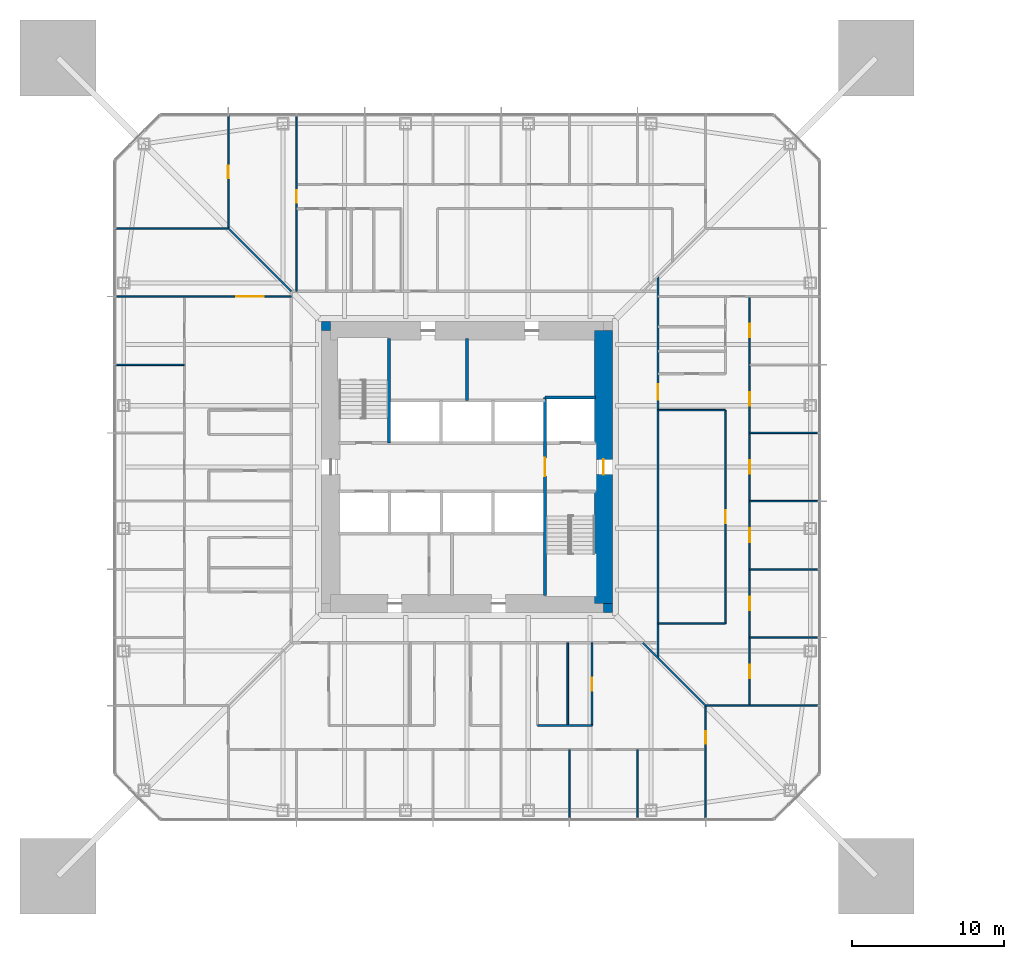
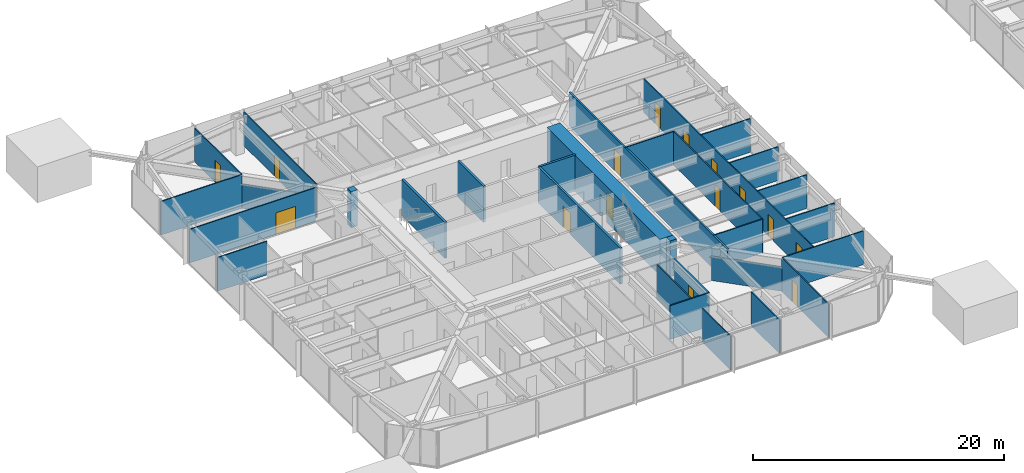
# One storey, part 16 of 26: 30 walls, 15 doors, 15 openings.
"""IFC4 building model written with IfcOpenShell, lengths in metres."""

from ifc_helpers import new_model, si_unit, direction, frame, frame_2d, origin, place, context, subcontext, project, spatial, rectangle, extrude, material, layer, layer_set, type_object, element, fill, save


model = new_model("IFC4")

# Units and contexts
model_context = context("Model", 3, precision=1e-05, world=origin(), true_north=direction((0.0, 1.0)))
body_context = subcontext(model_context, "Body", "Model", "MODEL_VIEW")
ifc_project = project(units=[si_unit("LENGTHUNIT", "METRE"), si_unit("AREAUNIT", "SQUARE_METRE"), si_unit("VOLUMEUNIT", "CUBIC_METRE"), si_unit("PLANEANGLEUNIT", "RADIAN"), si_unit("MASSUNIT", "GRAM", prefix="KILO")], contexts=[model_context])

# Site, building, storey
site_placement = place(None, origin())
site = spatial("IfcSite", under=ifc_project, at=site_placement, CompositionType="ELEMENT")
building_placement = place(site_placement, origin())
building = spatial("IfcBuilding", under=site, at=building_placement, Name="Iwan Alto Co-Living Towers", CompositionType="ELEMENT")
storey_placement = place(building_placement, frame((0.0, 0.0, 67.5)))
storey = spatial("IfcBuildingStorey", under=building, at=storey_placement, Name="L18", CompositionType="ELEMENT", Elevation=67.5)

# Wall, opening, door
ifc_material_1 = material(Name="Gypsum board")
ifc_layer_1 = layer(ifc_material_1, 0.02490234375, Name="Board", Category="Finish")
ifc_material_2 = material(Name="Steel ASTM A1003 ST33H cold-formed studs", Category="steel")
ifc_layer_2 = layer(ifc_material_2, 0.10009765625, Name="Studs", Category="Framing")
ifc_layer_3 = layer(ifc_material_1, 0.02490234375, Name="Board", Category="Finish")
ifc_layer_set_1 = layer_set([ifc_layer_1, ifc_layer_2, ifc_layer_3], Name="CORRIDOR WALL 150")
wall_type_1 = type_object("IfcWallType", Name="CORRIDOR WALL 150", PredefinedType="PARTITIONING", material=ifc_layer_set_1)
wall_1_placement = place(storey_placement, frame((12.60009765625, -12.60009765625, 0.0), z_axis=(0.0, 0.0, 1.0), x_axis=(0.0, 1.0, 0.0)))
wall_1 = element("IfcWall", 1, at=wall_1_placement, inside=storey, type_object=wall_type_1, Name="Partition L18", PredefinedType="PARTITIONING", context=body_context, shape_type="SweptSolid", body=[
    extrude(rectangle(XDim=25.2001953125, YDim=0.14990234375, at=frame_2d((12.60009765625, 0.0))), origin(), (0.0, 0.0, 1.0), 3.27001953125),
])
opening_1_placement = place(wall_1_placement, frame((17.050048828125, 0.0, 0.0)))
opening_1 = element("IfcOpeningElement", 2, at=opening_1_placement, cuts=wall_1, Name="Opening D3", PredefinedType="OPENING", context=body_context, shape_type="SweptSolid", body=[
    extrude(rectangle(XDim=1.0, YDim=2.10009765625, at=frame_2d((0.5, 1.050048828125))), frame((0.0, 0.0849609375, 0.0), z_axis=(0.0, -1.0, 0.0), x_axis=(1.0, 0.0, 0.0)), (0.0, 0.0, 1.0), 0.169921875),
])
ifc_material_3 = material(Name="Steel frame with timber leaf", Category="steel")
door_type_1 = type_object("IfcDoorType", Name="FLAT ENTRANCE DOOR FD30S 1000X2100", OperationType="SINGLE_SWING_LEFT", PredefinedType="DOOR", material=ifc_material_3)
door_1_placement = place(opening_1_placement, frame((1.0, 0.0, 0.0), z_axis=(0.0, 0.0, 1.0), x_axis=(-1.0, 0.0, 0.0)))
door_1 = element("IfcDoor", 3, at=door_1_placement, inside=storey, type_object=door_type_1, Name="Cluster lounge and shared kitchen door L18", OperationType="SINGLE_SWING_RIGHT", OverallHeight=2.10009765625, OverallWidth=1.0, PredefinedType="DOOR", context=body_context, shape_type="SweptSolid", body=[
    extrude(rectangle(XDim=1.0, YDim=2.10009765625, at=frame_2d((0.5, 1.050048828125))), frame((0.0, 0.02490234375, 0.0), z_axis=(0.0, -1.0, 0.0), x_axis=(1.0, 0.0, 0.0)), (0.0, 0.0, 1.0), 0.050048828125),
])
fill(opening_1, door_1)

# Walls
ifc_layer_4 = layer(ifc_material_1, 0.012451171875, Name="Board", Category="Finish")
ifc_layer_5 = layer(ifc_material_2, 0.074951171875, Name="Studs", Category="Framing")
ifc_layer_6 = layer(ifc_material_1, 0.012451171875, Name="Board", Category="Finish")
ifc_layer_set_2 = layer_set([ifc_layer_4, ifc_layer_5, ifc_layer_6], Name="PARTITION 100")
wall_type_2 = type_object("IfcWallType", Name="PARTITION 100", PredefinedType="PARTITIONING", material=ifc_layer_set_2)
wall_2_placement = place(storey_placement, frame((15.75, -15.75, 0.0), z_axis=(0.0, 0.0, 1.0), x_axis=(1.0, 0.0, 0.0)))
element("IfcWall", 4, at=wall_2_placement, inside=storey, type_object=wall_type_2, Name="Partition L18", PredefinedType="PARTITIONING", context=body_context, shape_type="SweptSolid", body=[
    extrude(rectangle(XDim=7.43994140625, YDim=0.10009765625, at=frame_2d((3.719970703125, 0.0))), origin(), (0.0, 0.0, 1.0), 3.27001953125),
])
wall_3_placement = place(storey_placement, frame((18.64990234375, -11.25, 0.0), z_axis=(0.0, 0.0, 1.0), x_axis=(1.0, 0.0, 0.0)))
element("IfcWall", 5, at=wall_3_placement, inside=storey, type_object=wall_type_2, Name="Partition L18", PredefinedType="PARTITIONING", context=body_context, shape_type="SweptSolid", body=[
    extrude(rectangle(XDim=4.5400390625, YDim=0.10009765625, at=frame_2d((2.27001953125, 0.0))), origin(), (0.0, 0.0, 1.0), 3.27001953125),
])
wall_4_placement = place(storey_placement, frame((12.60009765625, -10.330078125, 0.0), z_axis=(0.0, 0.0, 1.0), x_axis=(1.0, 0.0, 0.0)))
element("IfcWall", 6, at=wall_4_placement, inside=storey, type_object=wall_type_2, Name="Partition L18", PredefinedType="PARTITIONING", context=body_context, shape_type="SweptSolid", body=[
    extrude(rectangle(XDim=4.449951171875, YDim=0.10009765625, at=frame_2d((2.22509765625, 0.0))), origin(), (0.0, 0.0, 1.0), 3.27001953125),
])
for number, where, z_axis, x_axis, name in (
    (7, (18.64990234375, -6.75, 0.0), (0.0, 0.0, 1.0), (1.0, 0.0, 0.0), "Partition L18"),
    (8, (18.64990234375, -2.25, 0.0), (0.0, 0.0, 1.0), (1.0, 0.0, 0.0), "Partition L18"),
    (9, (18.64990234375, 2.25, 0.0), (0.0, 0.0, 1.0), (1.0, 0.0, 0.0), "Partition L18"),
):
    element("IfcWall", number, at=place(storey_placement, frame(where, z_axis=z_axis, x_axis=x_axis)), inside=storey, type_object=wall_type_2, Name=name, PredefinedType="PARTITIONING", context=body_context, shape_type="SweptSolid", body=[
        extrude(rectangle(XDim=4.5400390625, YDim=0.10009765625, at=frame_2d((2.27001953125, 0.0))), origin(), (0.0, 0.0, 1.0), 3.27001953125),
    ])
wall_5_placement = place(storey_placement, frame((12.60009765625, 3.75, 0.0), z_axis=(0.0, 0.0, 1.0), x_axis=(1.0, 0.0, 0.0)))
element("IfcWall", 10, at=wall_5_placement, inside=storey, type_object=wall_type_2, Name="Partition L18", PredefinedType="PARTITIONING", context=body_context, shape_type="SweptSolid", body=[
    extrude(rectangle(XDim=4.449951171875, YDim=0.10009765625, at=frame_2d((2.22509765625, 0.0))), origin(), (0.0, 0.0, 1.0), 3.27001953125),
])
wall_6_placement = place(storey_placement, frame((-23.18994140625, 6.75, 0.0), z_axis=(0.0, 0.0, 1.0), x_axis=(1.0, 0.0, 0.0)))
element("IfcWall", 11, at=wall_6_placement, inside=storey, type_object=wall_type_2, Name="Partition L18", PredefinedType="PARTITIONING", context=body_context, shape_type="SweptSolid", body=[
    extrude(rectangle(XDim=4.5400390625, YDim=0.10009765625, at=frame_2d((2.27001953125, 0.0))), origin(), (0.0, 0.0, 1.0), 3.27001953125),
])

# Wall, opening, door
wall_7_placement = place(storey_placement, frame((-23.18994140625, 11.25, 0.0), z_axis=(0.0, 0.0, 1.0), x_axis=(1.0, 0.0, 0.0)))
wall_7 = element("IfcWall", 12, at=wall_7_placement, inside=storey, type_object=wall_type_2, Name="Partition L18", PredefinedType="PARTITIONING", context=body_context, shape_type="SweptSolid", body=[
    extrude(rectangle(XDim=11.58984375, YDim=0.10009765625, at=frame_2d((5.794921875, 0.0))), origin(), (0.0, 0.0, 1.0), 3.27001953125),
])
opening_2_placement = place(wall_7_placement, frame((7.965087890625, 0.0, 0.0)))
opening_2 = element("IfcOpeningElement", 13, at=opening_2_placement, cuts=wall_7, Name="Opening D14", PredefinedType="OPENING", context=body_context, shape_type="SweptSolid", body=[
    extrude(rectangle(XDim=1.800048828125, YDim=2.10009765625, at=frame_2d((0.89990234375, 1.050048828125))), frame((0.0, 0.06005859375, 0.0), z_axis=(0.0, -1.0, 0.0), x_axis=(1.0, 0.0, 0.0)), (0.0, 0.0, 1.0), 0.1201171875),
])
ifc_material_4 = material(Name="Timber leaf in steel frame", Category="steel")
door_type_2 = type_object("IfcDoorType", Name="LOUNGE DOOR 1800X2100", OperationType="DOUBLE_DOOR_SINGLE_SWING", PredefinedType="DOOR", material=ifc_material_4)
door_2_placement = place(opening_2_placement, frame((1.800048828125, 0.0, 0.0), z_axis=(0.0, 0.0, 1.0), x_axis=(-1.0, 0.0, 0.0)))
door_2 = element("IfcDoor", 14, at=door_2_placement, inside=storey, type_object=door_type_2, Name="Seminar room door L18", OperationType="DOUBLE_DOOR_SINGLE_SWING", OverallHeight=2.10009765625, OverallWidth=1.800048828125, PredefinedType="DOOR", context=body_context, shape_type="SweptSolid", body=[
    extrude(rectangle(XDim=1.800048828125, YDim=2.10009765625, at=frame_2d((0.89990234375, 1.050048828125))), frame((0.0, 0.02490234375, 0.0), z_axis=(0.0, -1.0, 0.0), x_axis=(1.0, 0.0, 0.0)), (0.0, 0.0, 1.0), 0.050048828125),
])
fill(opening_2, door_2)

# Wall
wall_8_placement = place(storey_placement, frame((-23.18994140625, 15.75, 0.0), z_axis=(0.0, 0.0, 1.0), x_axis=(1.0, 0.0, 0.0)))
element("IfcWall", 15, at=wall_8_placement, inside=storey, type_object=wall_type_2, Name="Partition L18", PredefinedType="PARTITIONING", context=body_context, shape_type="SweptSolid", body=[
    extrude(rectangle(XDim=7.43994140625, YDim=0.10009765625, at=frame_2d((3.719970703125, 0.0))), origin(), (0.0, 0.0, 1.0), 3.27001953125),
])

# Wall, openings, doors
wall_9_placement = place(storey_placement, frame((18.64990234375, -15.75, 0.0), z_axis=(0.0, 0.0, 1.0), x_axis=(0.0, 1.0, 0.0)))
wall_9 = element("IfcWall", 16, at=wall_9_placement, inside=storey, type_object=wall_type_2, Name="Partition L18", PredefinedType="PARTITIONING", context=body_context, shape_type="SweptSolid", body=[
    extrude(rectangle(XDim=27.0, YDim=0.10009765625, at=frame_2d((13.5, 0.0))), origin(), (0.0, 0.0, 1.0), 3.27001953125),
])
opening_3_placement = place(wall_9_placement, frame((1.800048828125, 0.0, 0.0)))
opening_3 = element("IfcOpeningElement", 17, at=opening_3_placement, cuts=wall_9, Name="Opening D1", PredefinedType="OPENING", context=body_context, shape_type="SweptSolid", body=[
    extrude(rectangle(XDim=0.89990234375, YDim=2.10009765625, at=frame_2d((0.449951171875, 1.050048828125))), frame((0.0, 0.06005859375, 0.0), z_axis=(0.0, -1.0, 0.0), x_axis=(1.0, 0.0, 0.0)), (0.0, 0.0, 1.0), 0.1201171875),
])
opening_4_placement = place(wall_9_placement, frame((6.300048828125, 0.0, 0.0)))
opening_4 = element("IfcOpeningElement", 18, at=opening_4_placement, cuts=wall_9, Name="Opening D1", PredefinedType="OPENING", context=body_context, shape_type="SweptSolid", body=[
    extrude(rectangle(XDim=0.89990234375, YDim=2.10009765625, at=frame_2d((0.449951171875, 1.050048828125))), frame((0.0, 0.06005859375, 0.0), z_axis=(0.0, -1.0, 0.0), x_axis=(1.0, 0.0, 0.0)), (0.0, 0.0, 1.0), 0.1201171875),
])
opening_5_placement = place(wall_9_placement, frame((10.800048828125, 0.0, 0.0)))
opening_5 = element("IfcOpeningElement", 19, at=opening_5_placement, cuts=wall_9, Name="Opening D1", PredefinedType="OPENING", context=body_context, shape_type="SweptSolid", body=[
    extrude(rectangle(XDim=0.89990234375, YDim=2.10009765625, at=frame_2d((0.449951171875, 1.050048828125))), frame((0.0, 0.06005859375, 0.0), z_axis=(0.0, -1.0, 0.0), x_axis=(1.0, 0.0, 0.0)), (0.0, 0.0, 1.0), 0.1201171875),
])
opening_6_placement = place(wall_9_placement, frame((15.300048828125, 0.0, 0.0)))
opening_6 = element("IfcOpeningElement", 20, at=opening_6_placement, cuts=wall_9, Name="Opening D1", PredefinedType="OPENING", context=body_context, shape_type="SweptSolid", body=[
    extrude(rectangle(XDim=0.89990234375, YDim=2.10009765625, at=frame_2d((0.449951171875, 1.050048828125))), frame((0.0, 0.06005859375, 0.0), z_axis=(0.0, -1.0, 0.0), x_axis=(1.0, 0.0, 0.0)), (0.0, 0.0, 1.0), 0.1201171875),
])
opening_7_placement = place(wall_9_placement, frame((19.800048828125, 0.0, 0.0)))
opening_7 = element("IfcOpeningElement", 21, at=opening_7_placement, cuts=wall_9, Name="Opening D1", PredefinedType="OPENING", context=body_context, shape_type="SweptSolid", body=[
    extrude(rectangle(XDim=0.89990234375, YDim=2.10009765625, at=frame_2d((0.449951171875, 1.050048828125))), frame((0.0, 0.06005859375, 0.0), z_axis=(0.0, -1.0, 0.0), x_axis=(1.0, 0.0, 0.0)), (0.0, 0.0, 1.0), 0.1201171875),
])
opening_8_placement = place(wall_9_placement, frame((24.300048828125, 0.0, 0.0)))
opening_8 = element("IfcOpeningElement", 22, at=opening_8_placement, cuts=wall_9, Name="Opening D1", PredefinedType="OPENING", context=body_context, shape_type="SweptSolid", body=[
    extrude(rectangle(XDim=0.89990234375, YDim=2.10009765625, at=frame_2d((0.449951171875, 1.050048828125))), frame((0.0, 0.06005859375, 0.0), z_axis=(0.0, -1.0, 0.0), x_axis=(1.0, 0.0, 0.0)), (0.0, 0.0, 1.0), 0.1201171875),
])
ifc_material_5 = material(Name="Timber leaf in steel frame", Category="steel")
door_type_3 = type_object("IfcDoorType", Name="BEDROOM DOOR 900X2100", OperationType="SINGLE_SWING_LEFT", PredefinedType="DOOR", material=ifc_material_5)
door_3_placement = place(opening_3_placement, origin())
door_3 = element("IfcDoor", 23, at=door_3_placement, inside=storey, type_object=door_type_3, Name="Study bedroom door L18", OperationType="SINGLE_SWING_LEFT", OverallHeight=2.10009765625, OverallWidth=0.89990234375, PredefinedType="DOOR", context=body_context, shape_type="SweptSolid", body=[
    extrude(rectangle(XDim=0.89990234375, YDim=2.10009765625, at=frame_2d((0.449951171875, 1.050048828125))), frame((0.0, 0.02490234375, 0.0), z_axis=(0.0, -1.0, 0.0), x_axis=(1.0, 0.0, 0.0)), (0.0, 0.0, 1.0), 0.050048828125),
])
fill(opening_3, door_3)
door_4_placement = place(opening_4_placement, origin())
door_4 = element("IfcDoor", 24, at=door_4_placement, inside=storey, type_object=door_type_3, Name="Study bedroom door L18", OperationType="SINGLE_SWING_LEFT", OverallHeight=2.10009765625, OverallWidth=0.89990234375, PredefinedType="DOOR", context=body_context, shape_type="SweptSolid", body=[
    extrude(rectangle(XDim=0.89990234375, YDim=2.10009765625, at=frame_2d((0.449951171875, 1.050048828125))), frame((0.0, 0.02490234375, 0.0), z_axis=(0.0, -1.0, 0.0), x_axis=(1.0, 0.0, 0.0)), (0.0, 0.0, 1.0), 0.050048828125),
])
fill(opening_4, door_4)
door_5_placement = place(opening_5_placement, origin())
door_5 = element("IfcDoor", 25, at=door_5_placement, inside=storey, type_object=door_type_3, Name="Study bedroom door L18", OperationType="SINGLE_SWING_LEFT", OverallHeight=2.10009765625, OverallWidth=0.89990234375, PredefinedType="DOOR", context=body_context, shape_type="SweptSolid", body=[
    extrude(rectangle(XDim=0.89990234375, YDim=2.10009765625, at=frame_2d((0.449951171875, 1.050048828125))), frame((0.0, 0.02490234375, 0.0), z_axis=(0.0, -1.0, 0.0), x_axis=(1.0, 0.0, 0.0)), (0.0, 0.0, 1.0), 0.050048828125),
])
fill(opening_5, door_5)
door_6_placement = place(opening_6_placement, origin())
door_6 = element("IfcDoor", 26, at=door_6_placement, inside=storey, type_object=door_type_3, Name="Study bedroom door L18", OperationType="SINGLE_SWING_RIGHT", OverallHeight=2.10009765625, OverallWidth=0.89990234375, PredefinedType="DOOR", context=body_context, shape_type="SweptSolid", body=[
    extrude(rectangle(XDim=0.89990234375, YDim=2.10009765625, at=frame_2d((0.449951171875, 1.050048828125))), frame((0.0, 0.02490234375, 0.0), z_axis=(0.0, -1.0, 0.0), x_axis=(1.0, 0.0, 0.0)), (0.0, 0.0, 1.0), 0.050048828125),
])
fill(opening_6, door_6)
door_7_placement = place(opening_7_placement, origin())
door_7 = element("IfcDoor", 27, at=door_7_placement, inside=storey, type_object=door_type_3, Name="Study bedroom door L18", OperationType="SINGLE_SWING_RIGHT", OverallHeight=2.10009765625, OverallWidth=0.89990234375, PredefinedType="DOOR", context=body_context, shape_type="SweptSolid", body=[
    extrude(rectangle(XDim=0.89990234375, YDim=2.10009765625, at=frame_2d((0.449951171875, 1.050048828125))), frame((0.0, 0.02490234375, 0.0), z_axis=(0.0, -1.0, 0.0), x_axis=(1.0, 0.0, 0.0)), (0.0, 0.0, 1.0), 0.050048828125),
])
fill(opening_7, door_7)
door_8_placement = place(opening_8_placement, origin())
door_8 = element("IfcDoor", 28, at=door_8_placement, inside=storey, type_object=door_type_3, Name="Study bedroom door L18", OperationType="SINGLE_SWING_RIGHT", OverallHeight=2.10009765625, OverallWidth=0.89990234375, PredefinedType="DOOR", context=body_context, shape_type="SweptSolid", body=[
    extrude(rectangle(XDim=0.89990234375, YDim=2.10009765625, at=frame_2d((0.449951171875, 1.050048828125))), frame((0.0, 0.02490234375, 0.0), z_axis=(0.0, -1.0, 0.0), x_axis=(1.0, 0.0, 0.0)), (0.0, 0.0, 1.0), 0.050048828125),
])
fill(opening_8, door_8)

# Wall, opening, door
wall_10_placement = place(storey_placement, frame((17.050048828125, -10.330078125, 0.0), z_axis=(0.0, 0.0, 1.0), x_axis=(0.0, 1.0, 0.0)))
wall_10 = element("IfcWall", 29, at=wall_10_placement, inside=storey, type_object=wall_type_2, Name="Partition L18", PredefinedType="PARTITIONING", context=body_context, shape_type="SweptSolid", body=[
    extrude(rectangle(XDim=14.080078125, YDim=0.10009765625, at=frame_2d((7.0400390625, 0.0))), origin(), (0.0, 0.0, 1.0), 3.27001953125),
])
opening_9_placement = place(wall_10_placement, frame((6.614990234375, 0.0, 0.0)))
opening_9 = element("IfcOpeningElement", 30, at=opening_9_placement, cuts=wall_10, Name="Opening D2", PredefinedType="OPENING", context=body_context, shape_type="SweptSolid", body=[
    extrude(rectangle(XDim=0.85009765625, YDim=2.10009765625, at=frame_2d((0.425048828125, 1.050048828125))), frame((0.0, 0.06005859375, 0.0), z_axis=(0.0, -1.0, 0.0), x_axis=(1.0, 0.0, 0.0)), (0.0, 0.0, 1.0), 0.1201171875),
])
ifc_material_6 = material(Name="Timber leaf in steel frame", Category="steel")
door_type_4 = type_object("IfcDoorType", Name="ROOM DOOR 850X2100", OperationType="SINGLE_SWING_LEFT", PredefinedType="DOOR", material=ifc_material_6)
door_9_placement = place(opening_9_placement, frame((0.85009765625, 0.0, 0.0), z_axis=(0.0, 0.0, 1.0), x_axis=(-1.0, 0.0, 0.0)))
door_9 = element("IfcDoor", 31, at=door_9_placement, inside=storey, type_object=door_type_4, Name="Study lounge door L18", OperationType="SINGLE_SWING_RIGHT", OverallHeight=2.10009765625, OverallWidth=0.85009765625, PredefinedType="DOOR", context=body_context, shape_type="SweptSolid", body=[
    extrude(rectangle(XDim=0.85009765625, YDim=2.10009765625, at=frame_2d((0.425048828125, 1.050048828125))), frame((0.0, 0.02490234375, 0.0), z_axis=(0.0, -1.0, 0.0), x_axis=(1.0, 0.0, 0.0)), (0.0, 0.0, 1.0), 0.050048828125),
])
fill(opening_9, door_9)

wall_11_placement = place(storey_placement, frame((15.75, -23.18994140625, 0.0), z_axis=(0.0, 0.0, 1.0), x_axis=(0.0, 1.0, 0.0)))
wall_11 = element("IfcWall", 32, at=wall_11_placement, inside=storey, type_object=wall_type_2, Name="Partition L18", PredefinedType="PARTITIONING", context=body_context, shape_type="SweptSolid", body=[
    extrude(rectangle(XDim=7.43994140625, YDim=0.10009765625, at=frame_2d((3.719970703125, 0.0))), origin(), (0.0, 0.0, 1.0), 3.27001953125),
])
opening_10_placement = place(wall_11_placement, frame((4.9150390625, 0.0, 0.0)))
opening_10 = element("IfcOpeningElement", 33, at=opening_10_placement, cuts=wall_11, Name="Opening D2", PredefinedType="OPENING", context=body_context, shape_type="SweptSolid", body=[
    extrude(rectangle(XDim=0.85009765625, YDim=2.10009765625, at=frame_2d((0.425048828125, 1.050048828125))), frame((0.0, 0.06005859375, 0.0), z_axis=(0.0, -1.0, 0.0), x_axis=(1.0, 0.0, 0.0)), (0.0, 0.0, 1.0), 0.1201171875),
])
door_10_placement = place(opening_10_placement, origin())
door_10 = element("IfcDoor", 34, at=door_10_placement, inside=storey, type_object=door_type_4, Name="Shared kitchen and dining room door L18", OperationType="SINGLE_SWING_LEFT", OverallHeight=2.10009765625, OverallWidth=0.85009765625, PredefinedType="DOOR", context=body_context, shape_type="SweptSolid", body=[
    extrude(rectangle(XDim=0.85009765625, YDim=2.10009765625, at=frame_2d((0.425048828125, 1.050048828125))), frame((0.0, 0.02490234375, 0.0), z_axis=(0.0, -1.0, 0.0), x_axis=(1.0, 0.0, 0.0)), (0.0, 0.0, 1.0), 0.050048828125),
])
fill(opening_10, door_10)

# Walls
for number, where, z_axis, x_axis, name in (
    (35, (11.25, -23.18994140625, 0.0), (0.0, 0.0, 1.0), (0.0, 1.0, 0.0), "Partition L18"),
    (36, (6.75, -23.18994140625, 0.0), (0.0, 0.0, 1.0), (0.0, 1.0, 0.0), "Partition L18"),
):
    element("IfcWall", number, at=place(storey_placement, frame(where, z_axis=z_axis, x_axis=x_axis)), inside=storey, type_object=wall_type_2, Name=name, PredefinedType="PARTITIONING", context=body_context, shape_type="SweptSolid", body=[
        extrude(rectangle(XDim=4.5400390625, YDim=0.10009765625, at=frame_2d((2.27001953125, 0.0))), origin(), (0.0, 0.0, 1.0), 3.27001953125),
    ])

# Wall, opening, door
wall_12_placement = place(storey_placement, frame((-11.25, 11.60009765625, 0.0), z_axis=(0.0, 0.0, 1.0), x_axis=(0.0, 1.0, 0.0)))
wall_12 = element("IfcWall", 37, at=wall_12_placement, inside=storey, type_object=wall_type_2, Name="Partition L18", PredefinedType="PARTITIONING", context=body_context, shape_type="SweptSolid", body=[
    extrude(rectangle(XDim=11.58984375, YDim=0.10009765625, at=frame_2d((5.794921875, 0.0))), origin(), (0.0, 0.0, 1.0), 3.27001953125),
])
opening_11_placement = place(wall_12_placement, frame((5.824951171875, 0.0, 0.0)))
opening_11 = element("IfcOpeningElement", 38, at=opening_11_placement, cuts=wall_12, Name="Opening D2", PredefinedType="OPENING", context=body_context, shape_type="SweptSolid", body=[
    extrude(rectangle(XDim=0.85009765625, YDim=2.10009765625, at=frame_2d((0.425048828125, 1.050048828125))), frame((0.0, 0.06005859375, 0.0), z_axis=(0.0, -1.0, 0.0), x_axis=(1.0, 0.0, 0.0)), (0.0, 0.0, 1.0), 0.1201171875),
])
door_11_placement = place(opening_11_placement, frame((0.85009765625, 0.0, 0.0), z_axis=(0.0, 0.0, 1.0), x_axis=(-1.0, 0.0, 0.0)))
door_11 = element("IfcDoor", 39, at=door_11_placement, inside=storey, type_object=door_type_4, Name="Seminar room door L18", OperationType="SINGLE_SWING_RIGHT", OverallHeight=2.10009765625, OverallWidth=0.85009765625, PredefinedType="DOOR", context=body_context, shape_type="SweptSolid", body=[
    extrude(rectangle(XDim=0.85009765625, YDim=2.10009765625, at=frame_2d((0.425048828125, 1.050048828125))), frame((0.0, 0.02490234375, 0.0), z_axis=(0.0, -1.0, 0.0), x_axis=(1.0, 0.0, 0.0)), (0.0, 0.0, 1.0), 0.050048828125),
])
fill(opening_11, door_11)

wall_13_placement = place(storey_placement, frame((-15.75, 15.75, 0.0), z_axis=(0.0, 0.0, 1.0), x_axis=(0.0, 1.0, 0.0)))
wall_13 = element("IfcWall", 40, at=wall_13_placement, inside=storey, type_object=wall_type_2, Name="Partition L18", PredefinedType="PARTITIONING", context=body_context, shape_type="SweptSolid", body=[
    extrude(rectangle(XDim=7.43994140625, YDim=0.10009765625, at=frame_2d((3.719970703125, 0.0))), origin(), (0.0, 0.0, 1.0), 3.27001953125),
])
opening_12_placement = place(wall_13_placement, frame((3.294921875, 0.0, 0.0)))
opening_12 = element("IfcOpeningElement", 41, at=opening_12_placement, cuts=wall_13, Name="Opening D2", PredefinedType="OPENING", context=body_context, shape_type="SweptSolid", body=[
    extrude(rectangle(XDim=0.85009765625, YDim=2.10009765625, at=frame_2d((0.425048828125, 1.050048828125))), frame((0.0, 0.06005859375, 0.0), z_axis=(0.0, -1.0, 0.0), x_axis=(1.0, 0.0, 0.0)), (0.0, 0.0, 1.0), 0.1201171875),
])
door_12_placement = place(opening_12_placement, origin())
door_12 = element("IfcDoor", 42, at=door_12_placement, inside=storey, type_object=door_type_4, Name="Shared kitchen and dining room door L18", OperationType="SINGLE_SWING_LEFT", OverallHeight=2.10009765625, OverallWidth=0.85009765625, PredefinedType="DOOR", context=body_context, shape_type="SweptSolid", body=[
    extrude(rectangle(XDim=0.85009765625, YDim=2.10009765625, at=frame_2d((0.425048828125, 1.050048828125))), frame((0.0, 0.02490234375, 0.0), z_axis=(0.0, -1.0, 0.0), x_axis=(1.0, 0.0, 0.0)), (0.0, 0.0, 1.0), 0.050048828125),
])
fill(opening_12, door_12)

# Walls
for number, where, z_axis, x_axis, name in (
    (43, (15.75, -15.75, 0.0), (0.0, 0.0, 1.0), (-0.707106781187, 0.707106781187, 0.0), "Partition L18"),
    (44, (-11.60009765625, 11.60009765625, 0.0), (0.0, 0.0, 1.0), (-0.707106781187, 0.707106781187, 0.0), "Partition L18"),
):
    element("IfcWall", number, at=place(storey_placement, frame(where, z_axis=z_axis, x_axis=x_axis)), inside=storey, type_object=wall_type_2, Name=name, PredefinedType="PARTITIONING", context=body_context, shape_type="SweptSolid", body=[
        extrude(rectangle(XDim=5.868896484375, YDim=0.10009765625, at=frame_2d((2.9345703125, 0.0))), origin(), (0.0, 0.0, 1.0), 2.343017578125),
    ])
ifc_material_7 = material(Name="Concrete f'c 70 MPa", Category="concrete")
ifc_layer_7 = layer(ifc_material_7, 0.199951171875)
ifc_layer_set_3 = layer_set([ifc_layer_7], Name="SHAFT WALL 200")
wall_type_3 = type_object("IfcWallType", Name="SHAFT WALL 200", PredefinedType="SOLIDWALL", material=ifc_layer_set_3)
wall_14_placement = place(storey_placement, frame((5.14990234375, 4.60009765625, 0.0), z_axis=(0.0, 0.0, 1.0), x_axis=(1.0, 0.0, 0.0)))
element("IfcWall", 45, at=wall_14_placement, inside=storey, type_object=wall_type_3, Name="Shaft wall L18", PredefinedType="SOLIDWALL", context=body_context, shape_type="SweptSolid", body=[
    extrude(rectangle(XDim=3.340087890625, YDim=0.199951171875, at=frame_2d((1.669921875, 0.0))), origin(), (0.0, 0.0, 1.0), 3.5),
])

# Wall, opening, door
wall_15_placement = place(storey_placement, frame((5.14990234375, -8.489990234375, 0.0), z_axis=(0.0, 0.0, 1.0), x_axis=(0.0, 1.0, 0.0)))
wall_15 = element("IfcWall", 46, at=wall_15_placement, inside=storey, type_object=wall_type_3, Name="Shaft wall L18", PredefinedType="SOLIDWALL", context=body_context, shape_type="SweptSolid", body=[
    extrude(rectangle(XDim=13.090087890625, YDim=0.199951171875, at=frame_2d((6.544921875, 0.0))), origin(), (0.0, 0.0, 1.0), 3.5),
])
opening_13_placement = place(wall_15_placement, frame((7.889892578125, 0.0, 0.0)))
opening_13 = element("IfcOpeningElement", 47, at=opening_13_placement, cuts=wall_15, Name="Opening D6", PredefinedType="OPENING", context=body_context, shape_type="SweptSolid", body=[
    extrude(rectangle(XDim=1.199951171875, YDim=2.10009765625, at=frame_2d((0.60009765625, 1.050048828125))), frame((0.0, 0.10986328125, 0.0), z_axis=(0.0, -1.0, 0.0), x_axis=(1.0, 0.0, 0.0)), (0.0, 0.0, 1.0), 0.219970703125),
])
ifc_material_8 = material(Name="Steel frame with timber leaf", Category="steel")
door_type_5 = type_object("IfcDoorType", Name="LOBBY DOOR FD120S 1200X2100", OperationType="SINGLE_SWING_LEFT", PredefinedType="DOOR", material=ifc_material_8)
door_13_placement = place(opening_13_placement, frame((1.199951171875, 0.0, 0.0), z_axis=(0.0, 0.0, 1.0), x_axis=(-1.0, 0.0, 0.0)))
door_13 = element("IfcDoor", 48, at=door_13_placement, inside=storey, type_object=door_type_5, Name="Firefighting lobby door L18", OperationType="SINGLE_SWING_RIGHT", OverallHeight=2.10009765625, OverallWidth=1.199951171875, PredefinedType="DOOR", context=body_context, shape_type="SweptSolid", body=[
    extrude(rectangle(XDim=1.199951171875, YDim=2.10009765625, at=frame_2d((0.60009765625, 1.050048828125))), frame((0.0, 0.02490234375, 0.0), z_axis=(0.0, -1.0, 0.0), x_axis=(1.0, 0.0, 0.0)), (0.0, 0.0, 1.0), 0.050048828125),
])
fill(opening_13, door_13)

# Walls
wall_16_placement = place(storey_placement, frame((0.0, 4.39990234375, 0.0), z_axis=(0.0, 0.0, 1.0), x_axis=(0.0, 1.0, 0.0)))
element("IfcWall", 49, at=wall_16_placement, inside=storey, type_object=wall_type_3, Name="Shaft wall L18", PredefinedType="SOLIDWALL", context=body_context, shape_type="SweptSolid", body=[
    extrude(rectangle(XDim=4.090087890625, YDim=0.199951171875, at=frame_2d((2.044921875, 0.0))), origin(), (0.0, 0.0, 1.0), 3.5),
])
wall_17_placement = place(storey_placement, frame((-5.14990234375, 1.60009765625, 0.0), z_axis=(0.0, 0.0, 1.0), x_axis=(0.0, 1.0, 0.0)))
element("IfcWall", 50, at=wall_17_placement, inside=storey, type_object=wall_type_3, Name="Shaft wall L18", PredefinedType="SOLIDWALL", context=body_context, shape_type="SweptSolid", body=[
    extrude(rectangle(XDim=6.889892578125, YDim=0.199951171875, at=frame_2d((3.44482421875, 0.0))), origin(), (0.0, 0.0, 1.0), 3.5),
])
ifc_material_9 = material(Name="Concrete f'c 70 MPa", Category="concrete")
ifc_layer_8 = layer(ifc_material_9, 0.60009765625)
ifc_layer_set_4 = layer_set([ifc_layer_8], Name="T1 CORE CORNER FILL 600")
wall_type_4 = type_object("IfcWallType", Name="T1 CORE CORNER FILL 600", PredefinedType="SOLIDWALL", material=ifc_layer_set_4)
for number, where, z_axis, x_axis, name in (
    (51, (9.0, -9.300048828125, 0.0), (0.0, 0.0, 1.0), (1.0, 0.0, 0.0), "T1 core corner SE L18"),
    (52, (-9.60009765625, 9.300048828125, 0.0), (0.0, 0.0, 1.0), (1.0, 0.0, 0.0), "T1 core corner NW L18"),
):
    element("IfcWall", number, at=place(storey_placement, frame(where, z_axis=z_axis, x_axis=x_axis)), inside=storey, type_object=wall_type_4, Name=name, PredefinedType="SOLIDWALL", context=body_context, shape_type="SweptSolid", body=[
        extrude(rectangle(XDim=0.60009765625, YDim=0.60009765625, at=frame_2d((0.300048828125, 0.0))), origin(), (0.0, 0.0, 1.0), 3.5),
    ])

# Wall, opening, door
ifc_material_10 = material(Name="Concrete f'c 70 MPa", Category="concrete")
ifc_layer_9 = layer(ifc_material_10, 1.199951171875)
ifc_layer_set_5 = layer_set([ifc_layer_9], Name="T1 CORE WALL 1200")
wall_type_5 = type_object("IfcWallType", Name="T1 CORE WALL 1200", PredefinedType="SHEAR", material=ifc_layer_set_5)
wall_18_placement = place(storey_placement, frame((9.0, -9.0, 0.0), z_axis=(0.0, 0.0, 1.0), x_axis=(0.0, 1.0, 0.0)))
wall_18 = element("IfcWall", 53, at=wall_18_placement, inside=storey, type_object=wall_type_5, Name="T1 core wall E L18", PredefinedType="SHEAR", context=body_context, shape_type="SweptSolid", body=[
    extrude(rectangle(XDim=18.0, YDim=1.199951171875, at=frame_2d((9.0, 0.0))), origin(), (0.0, 0.0, 1.0), 3.5),
])
opening_14_placement = place(wall_18_placement, frame((8.5, 0.0, 0.0)))
opening_14 = element("IfcOpeningElement", 54, at=opening_14_placement, cuts=wall_18, Name="Opening D7", PredefinedType="OPENING", context=body_context, shape_type="SweptSolid", body=[
    extrude(rectangle(XDim=1.0, YDim=2.10009765625, at=frame_2d((0.5, 1.050048828125))), frame((0.0, 0.60986328125, 0.0), z_axis=(0.0, -1.0, 0.0), x_axis=(1.0, 0.0, 0.0)), (0.0, 0.0, 1.0), 1.219970703125),
])
ifc_material_11 = material(Name="Steel frame with timber leaf", Category="steel")
door_type_6 = type_object("IfcDoorType", Name="CORE DOOR FD120S 1000X2100", OperationType="SINGLE_SWING_LEFT", PredefinedType="DOOR", material=ifc_material_11)
door_14_placement = place(opening_14_placement, origin())
door_14 = element("IfcDoor", 55, at=door_14_placement, inside=storey, type_object=door_type_6, Name="Firefighting lobby core door L18", OperationType="SINGLE_SWING_LEFT", OverallHeight=2.10009765625, OverallWidth=1.0, PredefinedType="DOOR", context=body_context, shape_type="SweptSolid", body=[
    extrude(rectangle(XDim=1.0, YDim=2.10009765625, at=frame_2d((0.5, 1.050048828125))), frame((0.0, 0.02490234375, 0.0), z_axis=(0.0, -1.0, 0.0), x_axis=(1.0, 0.0, 0.0)), (0.0, 0.0, 1.0), 0.050048828125),
])
fill(opening_14, door_14)

# Wall
ifc_material_12 = material(Name="Cement board")
ifc_layer_10 = layer(ifc_material_12, 0.012451171875, Name="Board", Category="Finish")
ifc_layer_11 = layer(ifc_material_2, 0.094970703125, Name="Studs", Category="Framing")
ifc_layer_12 = layer(ifc_material_12, 0.012451171875, Name="Board", Category="Finish")
ifc_layer_set_6 = layer_set([ifc_layer_10, ifc_layer_11, ifc_layer_12], Name="WET AREA PARTITION 120")
wall_type_6 = type_object("IfcWallType", Name="WET AREA PARTITION 120", PredefinedType="PARTITIONING", material=ifc_layer_set_6)
wall_19_placement = place(storey_placement, frame((4.64990234375, -17.050048828125, 0.0), z_axis=(0.0, 0.0, 1.0), x_axis=(1.0, 0.0, 0.0)))
element("IfcWall", 56, at=wall_19_placement, inside=storey, type_object=wall_type_6, Name="Partition L18", PredefinedType="PARTITIONING", context=body_context, shape_type="SweptSolid", body=[
    extrude(rectangle(XDim=3.60009765625, YDim=0.1201171875, at=frame_2d((1.800048828125, 0.0))), origin(), (0.0, 0.0, 1.0), 3.27001953125),
])

# Wall, opening, door
wall_20_placement = place(storey_placement, frame((8.25, -17.050048828125, 0.0), z_axis=(0.0, 0.0, 1.0), x_axis=(0.0, 1.0, 0.0)))
wall_20 = element("IfcWall", 57, at=wall_20_placement, inside=storey, type_object=wall_type_6, Name="Partition L18", PredefinedType="PARTITIONING", context=body_context, shape_type="SweptSolid", body=[
    extrude(rectangle(XDim=5.449951171875, YDim=0.1201171875, at=frame_2d((2.72509765625, 0.0))), origin(), (0.0, 0.0, 1.0), 3.27001953125),
])
opening_15_placement = place(wall_20_placement, frame((2.300048828125, 0.0, 0.0)))
opening_15 = element("IfcOpeningElement", 58, at=opening_15_placement, cuts=wall_20, Name="Opening D2", PredefinedType="OPENING", context=body_context, shape_type="SweptSolid", body=[
    extrude(rectangle(XDim=0.85009765625, YDim=2.10009765625, at=frame_2d((0.425048828125, 1.050048828125))), frame((0.0, 0.070068359375, 0.0), z_axis=(0.0, -1.0, 0.0), x_axis=(1.0, 0.0, 0.0)), (0.0, 0.0, 1.0), 0.14013671875),
])
door_15_placement = place(opening_15_placement, frame((0.85009765625, 0.0, 0.0), z_axis=(0.0, 0.0, 1.0), x_axis=(-1.0, 0.0, 0.0)))
door_15 = element("IfcDoor", 59, at=door_15_placement, inside=storey, type_object=door_type_4, Name="Accessible bathroom door L18", OperationType="SINGLE_SWING_LEFT", OverallHeight=2.10009765625, OverallWidth=0.85009765625, PredefinedType="DOOR", context=body_context, shape_type="SweptSolid", body=[
    extrude(rectangle(XDim=0.85009765625, YDim=2.10009765625, at=frame_2d((0.425048828125, 1.050048828125))), frame((0.0, 0.02490234375, 0.0), z_axis=(0.0, -1.0, 0.0), x_axis=(1.0, 0.0, 0.0)), (0.0, 0.0, 1.0), 0.050048828125),
])
fill(opening_15, door_15)

# Wall
wall_21_placement = place(storey_placement, frame((6.64990234375, -17.050048828125, 0.0), z_axis=(0.0, 0.0, 1.0), x_axis=(0.0, 1.0, 0.0)))
element("IfcWall", 60, at=wall_21_placement, inside=storey, type_object=wall_type_6, Name="Partition L18", PredefinedType="PARTITIONING", context=body_context, shape_type="SweptSolid", body=[
    extrude(rectangle(XDim=5.449951171875, YDim=0.1201171875, at=frame_2d((2.72509765625, 0.0))), origin(), (0.0, 0.0, 1.0), 3.27001953125),
])

save(model, "model.ifc")
